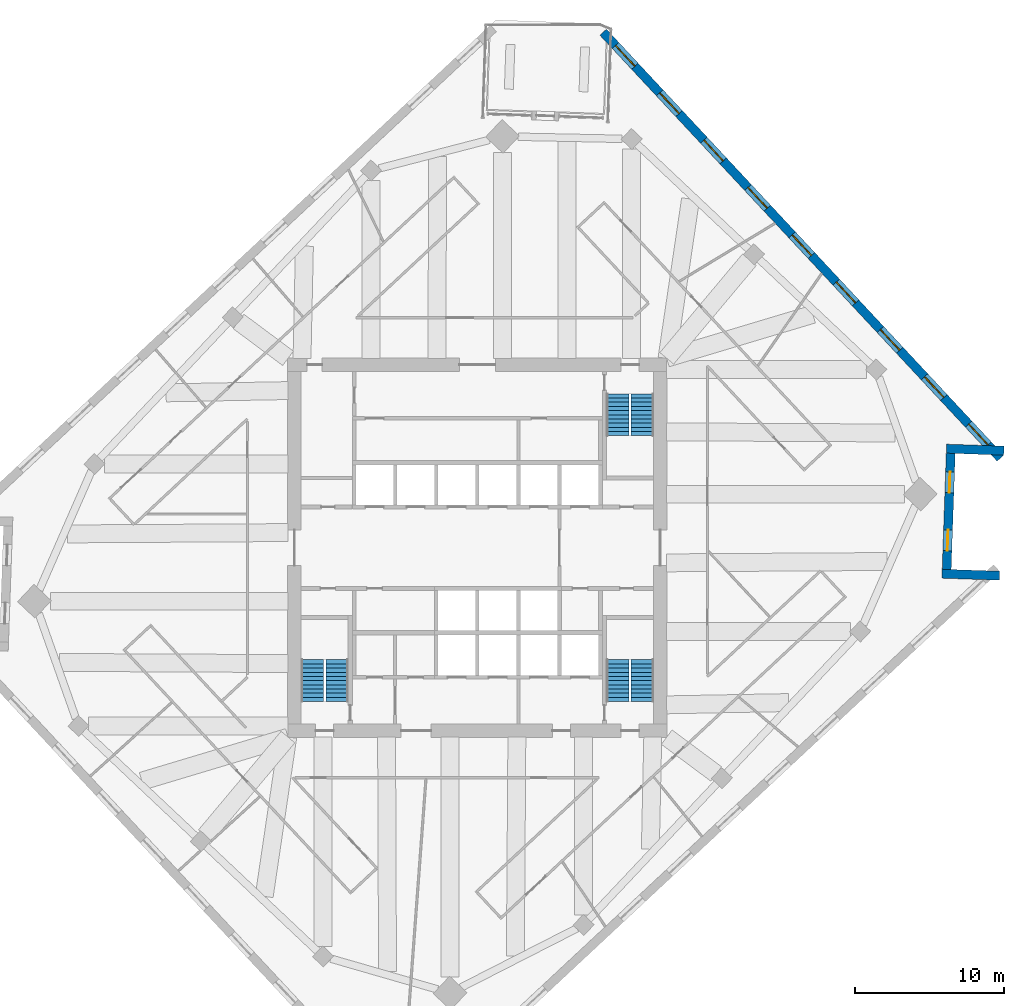
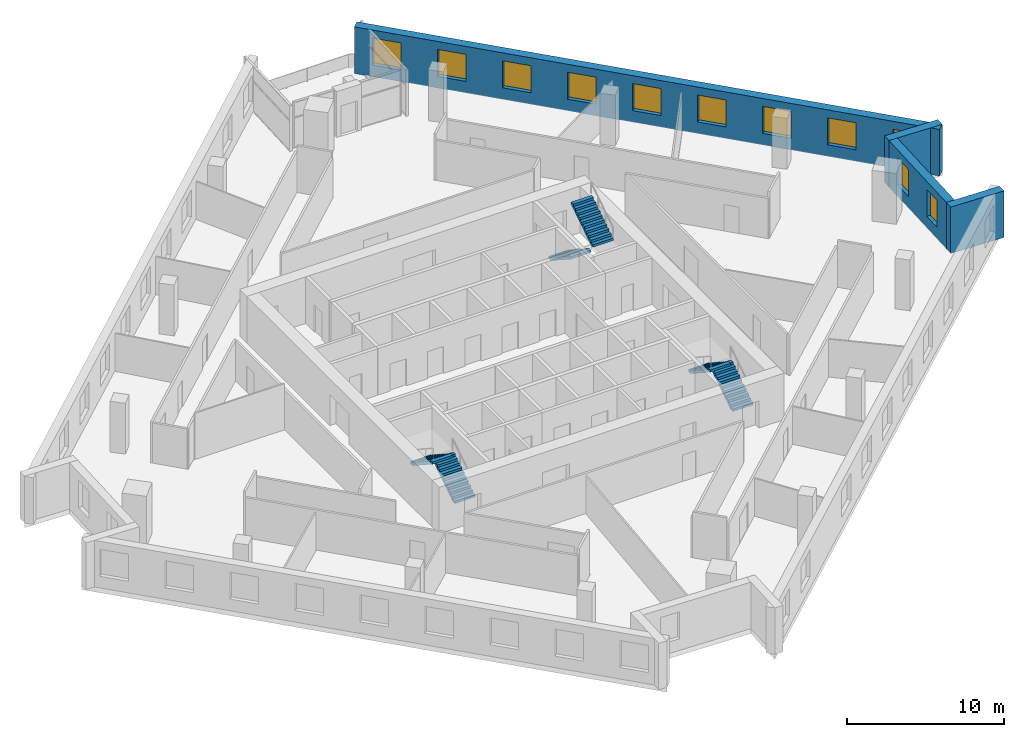
# One storey, part 8 of 10: 11 windows, 6 stair flights, 4 walls, 11 openings, 3 elements without a shape of their own.
"""IFC4 building model written with IfcOpenShell, lengths in metres."""

from ifc_helpers import new_model, si_unit, direction, frame, frame_2d, origin, place, context, subcontext, project, spatial, polyline, rectangle, outline, extrude, material, layer, layer_set, type_object, element, fill, aggregate, save


model = new_model("IFC4")

# Units and contexts
model_context = context("Model", 3, precision=1e-05, world=origin(), true_north=direction((0.0, 1.0)))
body_context = subcontext(model_context, "Body", "Model", "MODEL_VIEW")
ifc_project = project(units=[si_unit("LENGTHUNIT", "METRE"), si_unit("AREAUNIT", "SQUARE_METRE"), si_unit("VOLUMEUNIT", "CUBIC_METRE"), si_unit("PLANEANGLEUNIT", "RADIAN"), si_unit("MASSUNIT", "GRAM", prefix="KILO")], contexts=[model_context])

# Site, building, storey
site_placement = place(None, origin())
site = spatial("IfcSite", under=ifc_project, at=site_placement, CompositionType="ELEMENT")
building_placement = place(site_placement, origin())
building = spatial("IfcBuilding", under=site, at=building_placement, Name="Dilmun Exchange Tower", CompositionType="ELEMENT")
storey_placement = place(building_placement, frame((0.0, 0.0, 201.300048828125)))
storey = spatial("IfcBuildingStorey", under=building, at=storey_placement, Name="L47", CompositionType="ELEMENT", Elevation=201.300048828125)

# Wall
ifc_material_1 = material(Name="Precast concrete C50/60", Category="concrete")
ifc_layer = layer(ifc_material_1, 0.60009765625)
ifc_layer_set = layer_set([ifc_layer], Name="Precast concrete C50/60")
wall_type = type_object("IfcWallType", Name="Precast stone-clad wall 600", PredefinedType="STANDARD", material=ifc_layer_set)
wall_1_placement = place(storey_placement, frame((34.957763671875, -1.874755859375, 0.0), z_axis=(0.0, 0.0, 1.0), x_axis=(-0.999390522456, 0.034908217157, 0.0)))
element("IfcWall", 1, at=wall_1_placement, inside=storey, type_object=wall_type, Name="Facade wall L47-12", PredefinedType="STANDARD", context=body_context, shape_type="SweptSolid", body=[
    extrude(rectangle(XDim=3.8466796875, YDim=0.60009765625, at=frame_2d((1.92333984375, 0.0))), origin(), (0.0, 0.0, 1.0), 3.619873046875),
])

# Wall, openings, windows
wall_2_placement = place(storey_placement, frame((31.423828125, -1.451171875, 0.0), z_axis=(0.0, 0.0, 1.0), x_axis=(0.034903343287, 0.999390692686, 0.0)))
wall_2 = element("IfcWall", 2, at=wall_2_placement, inside=storey, type_object=wall_type, Name="Facade wall L47-13", PredefinedType="STANDARD", context=body_context, shape_type="SweptSolid", body=[
    extrude(rectangle(XDim=7.778076171875, YDim=0.60009765625, at=frame_2d((3.88916015625, 0.0))), origin(), (0.0, 0.0, 1.0), 3.619873046875),
])
opening_1_placement = place(wall_2_placement, frame((1.244384765625, 0.0, 0.89990234375)))
opening_1 = element("IfcOpeningElement", 3, at=opening_1_placement, cuts=wall_2, Name="Opening W140-210", PredefinedType="OPENING", context=body_context, shape_type="SweptSolid", body=[
    extrude(rectangle(XDim=1.39990234375, YDim=2.10009765625, at=frame_2d((0.699951171875, 1.050048828125))), frame((0.0, 0.31005859375, 0.0), z_axis=(0.0, -1.0, 0.0), x_axis=(1.0, 0.0, 0.0)), (0.0, 0.0, 1.0), 0.6201171875),
])
opening_2_placement = place(wall_2_placement, frame((5.133544921875, 0.0, 0.89990234375)))
opening_2 = element("IfcOpeningElement", 4, at=opening_2_placement, cuts=wall_2, Name="Opening W140-210", PredefinedType="OPENING", context=body_context, shape_type="SweptSolid", body=[
    extrude(rectangle(XDim=1.39990234375, YDim=2.10009765625, at=frame_2d((0.699951171875, 1.050048828125))), frame((0.0, 0.31005859375, 0.0), z_axis=(0.0, -1.0, 0.0), x_axis=(1.0, 0.0, 0.0)), (0.0, 0.0, 1.0), 0.6201171875),
])
ifc_material_2 = material(Name="Clear low-emissivity glass in aluminium frame", Category="aluminium")
window_type_1 = type_object("IfcWindowType", Name="Punched window 1400 x 2100", PartitioningType="DOUBLE_PANEL_VERTICAL", PredefinedType="WINDOW", material=ifc_material_2)
window_1_placement = place(opening_1_placement, origin())
window_1 = element("IfcWindow", 5, at=window_1_placement, inside=storey, type_object=window_type_1, Name="Window 14.1", OverallHeight=2.10009765625, OverallWidth=1.39990234375, PartitioningType="SINGLE_PANEL", PredefinedType="WINDOW", context=body_context, shape_type="SweptSolid", body=[
    extrude(rectangle(XDim=1.39990234375, YDim=2.10009765625, at=frame_2d((0.699951171875, 1.050048828125))), frame((0.0, 0.030029296875, 0.0), z_axis=(0.0, -1.0, 0.0), x_axis=(1.0, 0.0, 0.0)), (0.0, 0.0, 1.0), 0.06005859375),
])
fill(opening_1, window_1)
window_2_placement = place(opening_2_placement, origin())
window_2 = element("IfcWindow", 6, at=window_2_placement, inside=storey, type_object=window_type_1, Name="Window 14.2", OverallHeight=2.10009765625, OverallWidth=1.39990234375, PartitioningType="SINGLE_PANEL", PredefinedType="WINDOW", context=body_context, shape_type="SweptSolid", body=[
    extrude(rectangle(XDim=1.39990234375, YDim=2.10009765625, at=frame_2d((0.699951171875, 1.050048828125))), frame((0.0, 0.030029296875, 0.0), z_axis=(0.0, -1.0, 0.0), x_axis=(1.0, 0.0, 0.0)), (0.0, 0.0, 1.0), 0.06005859375),
])
fill(opening_2, window_2)

# Wall
wall_3_placement = place(storey_placement, frame((31.406005859375, 6.632568359375, 0.0), z_axis=(0.0, 0.0, 1.0), x_axis=(0.999390445106, -0.034910431553, 0.0)))
element("IfcWall", 7, at=wall_3_placement, inside=storey, type_object=wall_type, Name="Facade wall L47-14", PredefinedType="STANDARD", context=body_context, shape_type="SweptSolid", body=[
    extrude(rectangle(XDim=3.846435546875, YDim=0.60009765625, at=frame_2d((1.92333984375, 0.0))), origin(), (0.0, 0.0, 1.0), 3.619873046875),
])

# Wall, openings, windows
wall_4_placement = place(storey_placement, frame((35.020263671875, 5.993896484375, 0.0), z_axis=(0.0, 0.0, 1.0), x_axis=(-0.682002361324, 0.731349970362, 0.0)))
wall_4 = element("IfcWall", 8, at=wall_4_placement, inside=storey, type_object=wall_type, Name="Facade wall L47-15", PredefinedType="STANDARD", context=body_context, shape_type="SweptSolid", body=[
    extrude(rectangle(XDim=39.0, YDim=0.60009765625, at=frame_2d((19.5, 0.0))), origin(), (0.0, 0.0, 1.0), 3.619873046875),
])
opening_3_placement = place(wall_4_placement, frame((1.216796875, 0.0, 0.89990234375)))
opening_3 = element("IfcOpeningElement", 9, at=opening_3_placement, cuts=wall_4, Name="Opening W190-210", PredefinedType="OPENING", context=body_context, shape_type="SweptSolid", body=[
    extrude(rectangle(XDim=1.89990234375, YDim=2.10009765625, at=frame_2d((0.949951171875, 1.050048828125))), frame((0.0, 0.31005859375, 0.0), z_axis=(0.0, -1.0, 0.0), x_axis=(1.0, 0.0, 0.0)), (0.0, 0.0, 1.0), 0.6201171875),
])
opening_4_placement = place(wall_4_placement, frame((5.550048828125, 0.0, 0.89990234375)))
opening_4 = element("IfcOpeningElement", 10, at=opening_4_placement, cuts=wall_4, Name="Opening W190-210", PredefinedType="OPENING", context=body_context, shape_type="SweptSolid", body=[
    extrude(rectangle(XDim=1.89990234375, YDim=2.10009765625, at=frame_2d((0.949951171875, 1.050048828125))), frame((0.0, 0.31005859375, 0.0), z_axis=(0.0, -1.0, 0.0), x_axis=(1.0, 0.0, 0.0)), (0.0, 0.0, 1.0), 0.6201171875),
])
opening_5_placement = place(wall_4_placement, frame((9.88330078125, 0.0, 0.89990234375)))
opening_5 = element("IfcOpeningElement", 11, at=opening_5_placement, cuts=wall_4, Name="Opening W190-210", PredefinedType="OPENING", context=body_context, shape_type="SweptSolid", body=[
    extrude(rectangle(XDim=1.89990234375, YDim=2.10009765625, at=frame_2d((0.949951171875, 1.050048828125))), frame((0.0, 0.31005859375, 0.0), z_axis=(0.0, -1.0, 0.0), x_axis=(1.0, 0.0, 0.0)), (0.0, 0.0, 1.0), 0.6201171875),
])
opening_6_placement = place(wall_4_placement, frame((14.216796875, 0.0, 0.89990234375)))
opening_6 = element("IfcOpeningElement", 12, at=opening_6_placement, cuts=wall_4, Name="Opening W190-210", PredefinedType="OPENING", context=body_context, shape_type="SweptSolid", body=[
    extrude(rectangle(XDim=1.89990234375, YDim=2.10009765625, at=frame_2d((0.949951171875, 1.050048828125))), frame((0.0, 0.31005859375, 0.0), z_axis=(0.0, -1.0, 0.0), x_axis=(1.0, 0.0, 0.0)), (0.0, 0.0, 1.0), 0.6201171875),
])
opening_7_placement = place(wall_4_placement, frame((18.550048828125, 0.0, 0.89990234375)))
opening_7 = element("IfcOpeningElement", 13, at=opening_7_placement, cuts=wall_4, Name="Opening W190-210", PredefinedType="OPENING", context=body_context, shape_type="SweptSolid", body=[
    extrude(rectangle(XDim=1.89990234375, YDim=2.10009765625, at=frame_2d((0.949951171875, 1.050048828125))), frame((0.0, 0.31005859375, 0.0), z_axis=(0.0, -1.0, 0.0), x_axis=(1.0, 0.0, 0.0)), (0.0, 0.0, 1.0), 0.6201171875),
])
opening_8_placement = place(wall_4_placement, frame((22.88330078125, 0.0, 0.89990234375)))
opening_8 = element("IfcOpeningElement", 14, at=opening_8_placement, cuts=wall_4, Name="Opening W190-210", PredefinedType="OPENING", context=body_context, shape_type="SweptSolid", body=[
    extrude(rectangle(XDim=1.89990234375, YDim=2.10009765625, at=frame_2d((0.949951171875, 1.050048828125))), frame((0.0, 0.31005859375, 0.0), z_axis=(0.0, -1.0, 0.0), x_axis=(1.0, 0.0, 0.0)), (0.0, 0.0, 1.0), 0.6201171875),
])
opening_9_placement = place(wall_4_placement, frame((27.216796875, 0.0, 0.89990234375)))
opening_9 = element("IfcOpeningElement", 15, at=opening_9_placement, cuts=wall_4, Name="Opening W190-210", PredefinedType="OPENING", context=body_context, shape_type="SweptSolid", body=[
    extrude(rectangle(XDim=1.89990234375, YDim=2.10009765625, at=frame_2d((0.949951171875, 1.050048828125))), frame((0.0, 0.31005859375, 0.0), z_axis=(0.0, -1.0, 0.0), x_axis=(1.0, 0.0, 0.0)), (0.0, 0.0, 1.0), 0.6201171875),
])
opening_10_placement = place(wall_4_placement, frame((31.550048828125, 0.0, 0.89990234375)))
opening_10 = element("IfcOpeningElement", 16, at=opening_10_placement, cuts=wall_4, Name="Opening W190-210", PredefinedType="OPENING", context=body_context, shape_type="SweptSolid", body=[
    extrude(rectangle(XDim=1.89990234375, YDim=2.10009765625, at=frame_2d((0.949951171875, 1.050048828125))), frame((0.0, 0.31005859375, 0.0), z_axis=(0.0, -1.0, 0.0), x_axis=(1.0, 0.0, 0.0)), (0.0, 0.0, 1.0), 0.6201171875),
])
opening_11_placement = place(wall_4_placement, frame((35.88330078125, 0.0, 0.89990234375)))
opening_11 = element("IfcOpeningElement", 17, at=opening_11_placement, cuts=wall_4, Name="Opening W190-210", PredefinedType="OPENING", context=body_context, shape_type="SweptSolid", body=[
    extrude(rectangle(XDim=1.89990234375, YDim=2.10009765625, at=frame_2d((0.949951171875, 1.050048828125))), frame((0.0, 0.31005859375, 0.0), z_axis=(0.0, -1.0, 0.0), x_axis=(1.0, 0.0, 0.0)), (0.0, 0.0, 1.0), 0.6201171875),
])
window_type_2 = type_object("IfcWindowType", Name="Punched window 1900 x 2100", PartitioningType="DOUBLE_PANEL_VERTICAL", PredefinedType="WINDOW", material=ifc_material_2)
window_3_placement = place(opening_3_placement, origin())
window_3 = element("IfcWindow", 18, at=window_3_placement, inside=storey, type_object=window_type_2, Name="Window 16.1", OverallHeight=2.10009765625, OverallWidth=1.89990234375, PartitioningType="SINGLE_PANEL", PredefinedType="WINDOW", context=body_context, shape_type="SweptSolid", body=[
    extrude(rectangle(XDim=1.89990234375, YDim=2.10009765625, at=frame_2d((0.949951171875, 1.050048828125))), frame((0.0, 0.030029296875, 0.0), z_axis=(0.0, -1.0, 0.0), x_axis=(1.0, 0.0, 0.0)), (0.0, 0.0, 1.0), 0.06005859375),
])
fill(opening_3, window_3)
window_4_placement = place(opening_4_placement, origin())
window_4 = element("IfcWindow", 19, at=window_4_placement, inside=storey, type_object=window_type_2, Name="Window 16.2", OverallHeight=2.10009765625, OverallWidth=1.89990234375, PartitioningType="SINGLE_PANEL", PredefinedType="WINDOW", context=body_context, shape_type="SweptSolid", body=[
    extrude(rectangle(XDim=1.89990234375, YDim=2.10009765625, at=frame_2d((0.949951171875, 1.050048828125))), frame((0.0, 0.030029296875, 0.0), z_axis=(0.0, -1.0, 0.0), x_axis=(1.0, 0.0, 0.0)), (0.0, 0.0, 1.0), 0.06005859375),
])
fill(opening_4, window_4)
window_5_placement = place(opening_5_placement, origin())
window_5 = element("IfcWindow", 20, at=window_5_placement, inside=storey, type_object=window_type_2, Name="Window 16.3", OverallHeight=2.10009765625, OverallWidth=1.89990234375, PartitioningType="SINGLE_PANEL", PredefinedType="WINDOW", context=body_context, shape_type="SweptSolid", body=[
    extrude(rectangle(XDim=1.89990234375, YDim=2.10009765625, at=frame_2d((0.949951171875, 1.050048828125))), frame((0.0, 0.030029296875, 0.0), z_axis=(0.0, -1.0, 0.0), x_axis=(1.0, 0.0, 0.0)), (0.0, 0.0, 1.0), 0.06005859375),
])
fill(opening_5, window_5)
window_6_placement = place(opening_6_placement, origin())
window_6 = element("IfcWindow", 21, at=window_6_placement, inside=storey, type_object=window_type_2, Name="Window 16.4", OverallHeight=2.10009765625, OverallWidth=1.89990234375, PartitioningType="SINGLE_PANEL", PredefinedType="WINDOW", context=body_context, shape_type="SweptSolid", body=[
    extrude(rectangle(XDim=1.89990234375, YDim=2.10009765625, at=frame_2d((0.949951171875, 1.050048828125))), frame((0.0, 0.030029296875, 0.0), z_axis=(0.0, -1.0, 0.0), x_axis=(1.0, 0.0, 0.0)), (0.0, 0.0, 1.0), 0.06005859375),
])
fill(opening_6, window_6)
window_7_placement = place(opening_7_placement, origin())
window_7 = element("IfcWindow", 22, at=window_7_placement, inside=storey, type_object=window_type_2, Name="Window 16.5", OverallHeight=2.10009765625, OverallWidth=1.89990234375, PartitioningType="SINGLE_PANEL", PredefinedType="WINDOW", context=body_context, shape_type="SweptSolid", body=[
    extrude(rectangle(XDim=1.89990234375, YDim=2.10009765625, at=frame_2d((0.949951171875, 1.050048828125))), frame((0.0, 0.030029296875, 0.0), z_axis=(0.0, -1.0, 0.0), x_axis=(1.0, 0.0, 0.0)), (0.0, 0.0, 1.0), 0.06005859375),
])
fill(opening_7, window_7)
window_8_placement = place(opening_8_placement, origin())
window_8 = element("IfcWindow", 23, at=window_8_placement, inside=storey, type_object=window_type_2, Name="Window 16.6", OverallHeight=2.10009765625, OverallWidth=1.89990234375, PartitioningType="SINGLE_PANEL", PredefinedType="WINDOW", context=body_context, shape_type="SweptSolid", body=[
    extrude(rectangle(XDim=1.89990234375, YDim=2.10009765625, at=frame_2d((0.949951171875, 1.050048828125))), frame((0.0, 0.030029296875, 0.0), z_axis=(0.0, -1.0, 0.0), x_axis=(1.0, 0.0, 0.0)), (0.0, 0.0, 1.0), 0.06005859375),
])
fill(opening_8, window_8)
window_9_placement = place(opening_9_placement, origin())
window_9 = element("IfcWindow", 24, at=window_9_placement, inside=storey, type_object=window_type_2, Name="Window 16.7", OverallHeight=2.10009765625, OverallWidth=1.89990234375, PartitioningType="SINGLE_PANEL", PredefinedType="WINDOW", context=body_context, shape_type="SweptSolid", body=[
    extrude(rectangle(XDim=1.89990234375, YDim=2.10009765625, at=frame_2d((0.949951171875, 1.050048828125))), frame((0.0, 0.030029296875, 0.0), z_axis=(0.0, -1.0, 0.0), x_axis=(1.0, 0.0, 0.0)), (0.0, 0.0, 1.0), 0.06005859375),
])
fill(opening_9, window_9)
window_10_placement = place(opening_10_placement, origin())
window_10 = element("IfcWindow", 25, at=window_10_placement, inside=storey, type_object=window_type_2, Name="Window 16.8", OverallHeight=2.10009765625, OverallWidth=1.89990234375, PartitioningType="SINGLE_PANEL", PredefinedType="WINDOW", context=body_context, shape_type="SweptSolid", body=[
    extrude(rectangle(XDim=1.89990234375, YDim=2.10009765625, at=frame_2d((0.949951171875, 1.050048828125))), frame((0.0, 0.030029296875, 0.0), z_axis=(0.0, -1.0, 0.0), x_axis=(1.0, 0.0, 0.0)), (0.0, 0.0, 1.0), 0.06005859375),
])
fill(opening_10, window_10)
window_11_placement = place(opening_11_placement, origin())
window_11 = element("IfcWindow", 26, at=window_11_placement, inside=storey, type_object=window_type_2, Name="Window 16.9", OverallHeight=2.10009765625, OverallWidth=1.89990234375, PartitioningType="SINGLE_PANEL", PredefinedType="WINDOW", context=body_context, shape_type="SweptSolid", body=[
    extrude(rectangle(XDim=1.89990234375, YDim=2.10009765625, at=frame_2d((0.949951171875, 1.050048828125))), frame((0.0, 0.030029296875, 0.0), z_axis=(0.0, -1.0, 0.0), x_axis=(1.0, 0.0, 0.0)), (0.0, 0.0, 1.0), 0.06005859375),
])
fill(opening_11, window_11)

# Stair, stair flights
ifc_material_3 = material(Name="Concrete C40/50", Category="concrete")
stair_type = type_object("IfcStairType", Name="Exit stair 1500 half-turn", PredefinedType="HALF_TURN_STAIR", material=ifc_material_3)
stair_1_placement = place(storey_placement, origin())
stair_1 = element("IfcStair", 27, at=stair_1_placement, inside=storey, type_object=stair_type, Name="L47 Protected exit stair ST1", PredefinedType="HALF_TURN_STAIR")
stair_flight_type = type_object("IfcStairFlightType", Name="Exit stair flight 1500", PredefinedType="STRAIGHT", material=ifc_material_3)
stair_flight_1_placement = place(storey_placement, frame((9.39990234375, 10.300048828125, 0.0), z_axis=(0.0, 0.0, 1.0), x_axis=(0.0, -1.0, 0.0)))
stair_flight_1 = element("IfcStairFlight", 28, at=stair_flight_1_placement, type_object=stair_flight_type, Name="ST1 flight 1", NumberOfRisers=11, NumberOfTreads=10, PredefinedType="STRAIGHT", RiserHeight=0.181818182, TreadLength=0.28, context=body_context, shape_type="SweptSolid", body=[
    extrude(outline(polyline([(0.0, 0.0), (0.0, 0.181884765625), (0.280029296875, 0.181884765625), (0.280029296875, 0.363525390625), (0.56005859375, 0.363525390625), (0.56005859375, 0.54541015625), (0.840087890625, 0.54541015625), (0.840087890625, 0.727294921875), (1.1201171875, 0.727294921875), (1.1201171875, 0.9091796875), (1.39990234375, 0.9091796875), (1.39990234375, 1.0908203125), (1.679931640625, 1.0908203125), (1.679931640625, 1.272705078125), (1.9599609375, 1.272705078125), (1.9599609375, 1.45458984375), (2.239990234375, 1.45458984375), (2.239990234375, 1.636474609375), (2.52001953125, 1.636474609375), (2.52001953125, 1.818115234375), (2.800048828125, 1.818115234375), (2.800048828125, 2.0), (2.800048828125, 1.639404296875), (0.275146484375, 0.0), (0.0, 0.0)])), frame((0.0, 0.75, 0.0), z_axis=(0.0, -1.0, 0.0), x_axis=(1.0, 0.0, 0.0)), (0.0, 0.0, 1.0), 1.5),
])
stair_flight_2_placement = place(storey_placement, frame((11.050048828125, 7.5, 2.0), z_axis=(0.0, 0.0, 1.0), x_axis=(0.0, 1.0, 0.0)))
stair_flight_2 = element("IfcStairFlight", 29, at=stair_flight_2_placement, type_object=stair_flight_type, Name="ST1 flight 2", NumberOfRisers=11, NumberOfTreads=10, PredefinedType="STRAIGHT", RiserHeight=0.181818182, TreadLength=0.28, context=body_context, shape_type="SweptSolid", body=[
    extrude(outline(polyline([(0.0, 0.0), (0.0, 0.181884765625), (0.280029296875, 0.181884765625), (0.280029296875, 0.363525390625), (0.56005859375, 0.363525390625), (0.56005859375, 0.54541015625), (0.840087890625, 0.54541015625), (0.840087890625, 0.727294921875), (1.1201171875, 0.727294921875), (1.1201171875, 0.9091796875), (1.39990234375, 0.9091796875), (1.39990234375, 1.0908203125), (1.679931640625, 1.0908203125), (1.679931640625, 1.272705078125), (1.9599609375, 1.272705078125), (1.9599609375, 1.45458984375), (2.239990234375, 1.45458984375), (2.239990234375, 1.636474609375), (2.52001953125, 1.636474609375), (2.52001953125, 1.818115234375), (2.800048828125, 1.818115234375), (2.800048828125, 2.0), (2.800048828125, 1.639404296875), (0.275146484375, 0.0), (0.0, 0.0)])), frame((0.0, 0.75, 0.0), z_axis=(0.0, -1.0, 0.0), x_axis=(1.0, 0.0, 0.0)), (0.0, 0.0, 1.0), 1.5),
])
aggregate(stair_1, [stair_flight_1, stair_flight_2])

stair_2_placement = place(storey_placement, origin())
stair_2 = element("IfcStair", 30, at=stair_2_placement, inside=storey, type_object=stair_type, Name="L47 Protected exit stair ST2", PredefinedType="HALF_TURN_STAIR")
stair_flight_3_placement = place(storey_placement, frame((-9.39990234375, -10.300048828125, 0.0), z_axis=(0.0, 0.0, 1.0), x_axis=(0.0, 1.0, 0.0)))
stair_flight_3 = element("IfcStairFlight", 31, at=stair_flight_3_placement, type_object=stair_flight_type, Name="ST2 flight 1", NumberOfRisers=11, NumberOfTreads=10, PredefinedType="STRAIGHT", RiserHeight=0.181818182, TreadLength=0.28, context=body_context, shape_type="SweptSolid", body=[
    extrude(outline(polyline([(0.0, 0.0), (0.0, 0.181884765625), (0.280029296875, 0.181884765625), (0.280029296875, 0.363525390625), (0.56005859375, 0.363525390625), (0.56005859375, 0.54541015625), (0.840087890625, 0.54541015625), (0.840087890625, 0.727294921875), (1.1201171875, 0.727294921875), (1.1201171875, 0.9091796875), (1.39990234375, 0.9091796875), (1.39990234375, 1.0908203125), (1.679931640625, 1.0908203125), (1.679931640625, 1.272705078125), (1.9599609375, 1.272705078125), (1.9599609375, 1.45458984375), (2.239990234375, 1.45458984375), (2.239990234375, 1.636474609375), (2.52001953125, 1.636474609375), (2.52001953125, 1.818115234375), (2.800048828125, 1.818115234375), (2.800048828125, 2.0), (2.800048828125, 1.639404296875), (0.275146484375, 0.0), (0.0, 0.0)])), frame((0.0, 0.75, 0.0), z_axis=(0.0, -1.0, 0.0), x_axis=(1.0, 0.0, 0.0)), (0.0, 0.0, 1.0), 1.5),
])
stair_flight_4_placement = place(storey_placement, frame((-11.050048828125, -7.5, 2.0), z_axis=(0.0, 0.0, 1.0), x_axis=(0.0, -1.0, 0.0)))
stair_flight_4 = element("IfcStairFlight", 32, at=stair_flight_4_placement, type_object=stair_flight_type, Name="ST2 flight 2", NumberOfRisers=11, NumberOfTreads=10, PredefinedType="STRAIGHT", RiserHeight=0.181818182, TreadLength=0.28, context=body_context, shape_type="SweptSolid", body=[
    extrude(outline(polyline([(0.0, 0.0), (0.0, 0.181884765625), (0.280029296875, 0.181884765625), (0.280029296875, 0.363525390625), (0.56005859375, 0.363525390625), (0.56005859375, 0.54541015625), (0.840087890625, 0.54541015625), (0.840087890625, 0.727294921875), (1.1201171875, 0.727294921875), (1.1201171875, 0.9091796875), (1.39990234375, 0.9091796875), (1.39990234375, 1.0908203125), (1.679931640625, 1.0908203125), (1.679931640625, 1.272705078125), (1.9599609375, 1.272705078125), (1.9599609375, 1.45458984375), (2.239990234375, 1.45458984375), (2.239990234375, 1.636474609375), (2.52001953125, 1.636474609375), (2.52001953125, 1.818115234375), (2.800048828125, 1.818115234375), (2.800048828125, 2.0), (2.800048828125, 1.639404296875), (0.275146484375, 0.0), (0.0, 0.0)])), frame((0.0, 0.75, 0.0), z_axis=(0.0, -1.0, 0.0), x_axis=(1.0, 0.0, 0.0)), (0.0, 0.0, 1.0), 1.5),
])
aggregate(stair_2, [stair_flight_3, stair_flight_4])

stair_3_placement = place(storey_placement, origin())
stair_3 = element("IfcStair", 33, at=stair_3_placement, inside=storey, type_object=stair_type, Name="L47 Protected exit stair ST3", PredefinedType="HALF_TURN_STAIR")
stair_flight_5_placement = place(storey_placement, frame((11.050048828125, -10.300048828125, 0.0), z_axis=(0.0, 0.0, 1.0), x_axis=(0.0, 1.0, 0.0)))
stair_flight_5 = element("IfcStairFlight", 34, at=stair_flight_5_placement, type_object=stair_flight_type, Name="ST3 flight 1", NumberOfRisers=11, NumberOfTreads=10, PredefinedType="STRAIGHT", RiserHeight=0.181818182, TreadLength=0.28, context=body_context, shape_type="SweptSolid", body=[
    extrude(outline(polyline([(0.0, 0.0), (0.0, 0.181884765625), (0.280029296875, 0.181884765625), (0.280029296875, 0.363525390625), (0.56005859375, 0.363525390625), (0.56005859375, 0.54541015625), (0.840087890625, 0.54541015625), (0.840087890625, 0.727294921875), (1.1201171875, 0.727294921875), (1.1201171875, 0.9091796875), (1.39990234375, 0.9091796875), (1.39990234375, 1.0908203125), (1.679931640625, 1.0908203125), (1.679931640625, 1.272705078125), (1.9599609375, 1.272705078125), (1.9599609375, 1.45458984375), (2.239990234375, 1.45458984375), (2.239990234375, 1.636474609375), (2.52001953125, 1.636474609375), (2.52001953125, 1.818115234375), (2.800048828125, 1.818115234375), (2.800048828125, 2.0), (2.800048828125, 1.639404296875), (0.275146484375, 0.0), (0.0, 0.0)])), frame((0.0, 0.75, 0.0), z_axis=(0.0, -1.0, 0.0), x_axis=(1.0, 0.0, 0.0)), (0.0, 0.0, 1.0), 1.5),
])
stair_flight_6_placement = place(storey_placement, frame((9.39990234375, -7.5, 2.0), z_axis=(0.0, 0.0, 1.0), x_axis=(0.0, -1.0, 0.0)))
stair_flight_6 = element("IfcStairFlight", 35, at=stair_flight_6_placement, type_object=stair_flight_type, Name="ST3 flight 2", NumberOfRisers=11, NumberOfTreads=10, PredefinedType="STRAIGHT", RiserHeight=0.181818182, TreadLength=0.28, context=body_context, shape_type="SweptSolid", body=[
    extrude(outline(polyline([(0.0, 0.0), (0.0, 0.181884765625), (0.280029296875, 0.181884765625), (0.280029296875, 0.363525390625), (0.56005859375, 0.363525390625), (0.56005859375, 0.54541015625), (0.840087890625, 0.54541015625), (0.840087890625, 0.727294921875), (1.1201171875, 0.727294921875), (1.1201171875, 0.9091796875), (1.39990234375, 0.9091796875), (1.39990234375, 1.0908203125), (1.679931640625, 1.0908203125), (1.679931640625, 1.272705078125), (1.9599609375, 1.272705078125), (1.9599609375, 1.45458984375), (2.239990234375, 1.45458984375), (2.239990234375, 1.636474609375), (2.52001953125, 1.636474609375), (2.52001953125, 1.818115234375), (2.800048828125, 1.818115234375), (2.800048828125, 2.0), (2.800048828125, 1.639404296875), (0.275146484375, 0.0), (0.0, 0.0)])), frame((0.0, 0.75, 0.0), z_axis=(0.0, -1.0, 0.0), x_axis=(1.0, 0.0, 0.0)), (0.0, 0.0, 1.0), 1.5),
])
aggregate(stair_3, [stair_flight_5, stair_flight_6])

save(model, "model.ifc")
